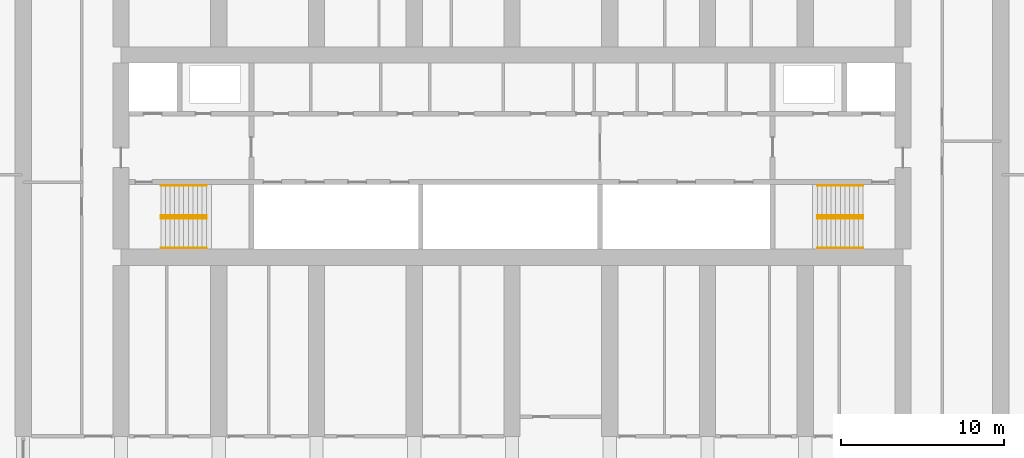
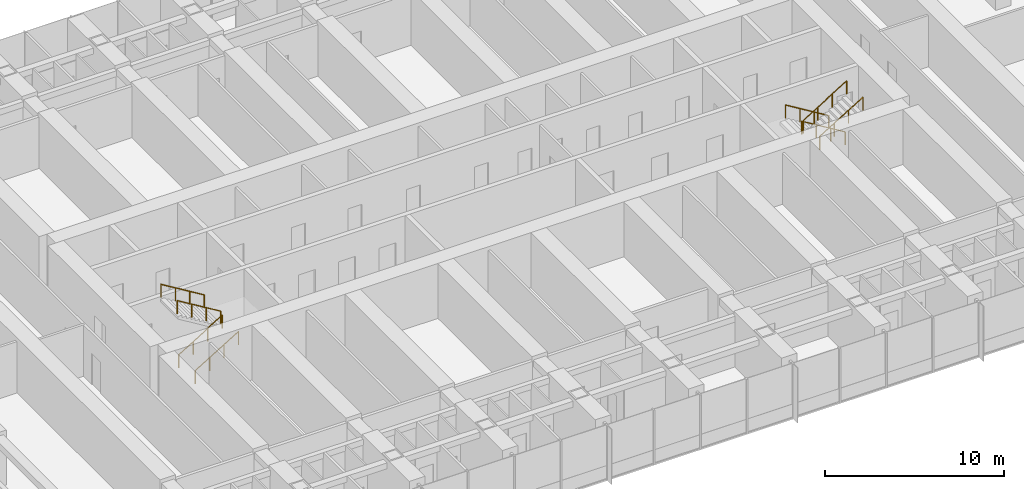
# One storey, part 25 of 25: 8 railings.
"""IFC4 building model written with IfcOpenShell, lengths in metres."""

from ifc_helpers import new_model, si_unit, direction, frame, origin, origin_2d, place, context, subcontext, project, spatial, circle, extrude, material, type_object, element, save


model = new_model("IFC4")

# Units and contexts
model_context = context("Model", 3, precision=1e-05, world=origin(), true_north=direction((0.0, 1.0)))
body_context = subcontext(model_context, "Body", "Model", "MODEL_VIEW")
ifc_project = project(units=[si_unit("LENGTHUNIT", "METRE"), si_unit("AREAUNIT", "SQUARE_METRE"), si_unit("VOLUMEUNIT", "CUBIC_METRE"), si_unit("PLANEANGLEUNIT", "RADIAN"), si_unit("MASSUNIT", "GRAM", prefix="KILO")], contexts=[model_context])

# Site, building, storey
site_placement = place(None, origin())
site = spatial("IfcSite", under=ifc_project, at=site_placement, CompositionType="ELEMENT")
building_placement = place(site_placement, origin())
building = spatial("IfcBuilding", under=site, at=building_placement, Name="Orbita Commons", CompositionType="ELEMENT")
storey_placement = place(building_placement, frame((0.0, 0.0, 31.449951171875)))
storey = spatial("IfcBuildingStorey", under=building, at=storey_placement, Name="L07", CompositionType="ELEMENT", Elevation=31.449951171875)

# Railings
ifc_material = material(Name="Steel tube, painted", Category="steel")
railing_type = type_object("IfcRailingType", Name="Stair handrail steel tube 900", PredefinedType="HANDRAIL", material=ifc_material)
for number, where, name in (
    (1, (20.449951171875, 28.18994140625, 0.17041015625), "Stair S1 handrail L07 flight 1"),
    (2, (20.449951171875, 26.360107421875, 0.17041015625), "Stair S1 handrail L07 flight 1"),
):
    element("IfcRailing", number, at=place(storey_placement, frame(where)), inside=storey, type_object=railing_type, Name=name, PredefinedType="HANDRAIL", context=body_context, shape_type="SweptSolid", body=[
        extrude(circle(Radius=0.02099609375, at=origin_2d()), frame((0.0, 0.0, 0.87890625), z_axis=(0.854169791009, 0.0, 0.51999420009), x_axis=(0.0, 1.0, 0.0)), (0.0, 0.0, 1.0), 3.278076171875),
        extrude(circle(Radius=0.02001953125, at=origin_2d()), origin(), (0.0, 0.0, 1.0), 0.85791015625),
        extrude(circle(Radius=0.02001953125, at=origin_2d()), frame((0.933349609375, 0.0, 0.568115234375)), (0.0, 0.0, 1.0), 0.85791015625),
        extrude(circle(Radius=0.02001953125, at=origin_2d()), frame((1.86669921875, 0.0, 1.136474609375)), (0.0, 0.0, 1.0), 0.85791015625),
        extrude(circle(Radius=0.02001953125, at=origin_2d()), frame((2.800048828125, 0.0, 1.70458984375)), (0.0, 0.0, 1.0), 0.85791015625),
    ])
for number, where, name in (
    (3, (23.25, 28.360107421875, 2.04541015625), "Stair S1 handrail L07 flight 2"),
    (4, (23.25, 30.18994140625, 2.04541015625), "Stair S1 handrail L07 flight 2"),
    (5, (63.550048828125, 28.360107421875, 0.17041015625), "Stair S2 handrail L07 flight 1"),
    (6, (63.550048828125, 30.18994140625, 0.17041015625), "Stair S2 handrail L07 flight 1"),
):
    element("IfcRailing", number, at=place(storey_placement, frame(where)), inside=storey, type_object=railing_type, Name=name, PredefinedType="HANDRAIL", context=body_context, shape_type="SweptSolid", body=[
        extrude(circle(Radius=0.02099609375, at=origin_2d()), frame((0.0, 0.0, 0.87890625), z_axis=(-0.854169791009, 0.0, 0.51999420009), x_axis=(0.0, -1.0, 0.0)), (0.0, 0.0, 1.0), 3.278076171875),
        extrude(circle(Radius=0.02001953125, at=origin_2d()), origin(), (0.0, 0.0, 1.0), 0.85791015625),
        extrude(circle(Radius=0.02001953125, at=origin_2d()), frame((-0.933349609375, 0.0, 0.568115234375)), (0.0, 0.0, 1.0), 0.85791015625),
        extrude(circle(Radius=0.02001953125, at=origin_2d()), frame((-1.86669921875, 0.0, 1.136474609375)), (0.0, 0.0, 1.0), 0.85791015625),
        extrude(circle(Radius=0.02001953125, at=origin_2d()), frame((-2.800048828125, 0.0, 1.70458984375)), (0.0, 0.0, 1.0), 0.85791015625),
    ])
for number, where, name in (
    (7, (60.75, 28.18994140625, 2.04541015625), "Stair S2 handrail L07 flight 2"),
    (8, (60.75, 26.360107421875, 2.04541015625), "Stair S2 handrail L07 flight 2"),
):
    element("IfcRailing", number, at=place(storey_placement, frame(where)), inside=storey, type_object=railing_type, Name=name, PredefinedType="HANDRAIL", context=body_context, shape_type="SweptSolid", body=[
        extrude(circle(Radius=0.02099609375, at=origin_2d()), frame((0.0, 0.0, 0.87890625), z_axis=(0.854169791009, 0.0, 0.51999420009), x_axis=(0.0, 1.0, 0.0)), (0.0, 0.0, 1.0), 3.278076171875),
        extrude(circle(Radius=0.02001953125, at=origin_2d()), origin(), (0.0, 0.0, 1.0), 0.85791015625),
        extrude(circle(Radius=0.02001953125, at=origin_2d()), frame((0.933349609375, 0.0, 0.568115234375)), (0.0, 0.0, 1.0), 0.85791015625),
        extrude(circle(Radius=0.02001953125, at=origin_2d()), frame((1.86669921875, 0.0, 1.136474609375)), (0.0, 0.0, 1.0), 0.85791015625),
        extrude(circle(Radius=0.02001953125, at=origin_2d()), frame((2.800048828125, 0.0, 1.70458984375)), (0.0, 0.0, 1.0), 0.85791015625),
    ])

save(model, "model.ifc")
